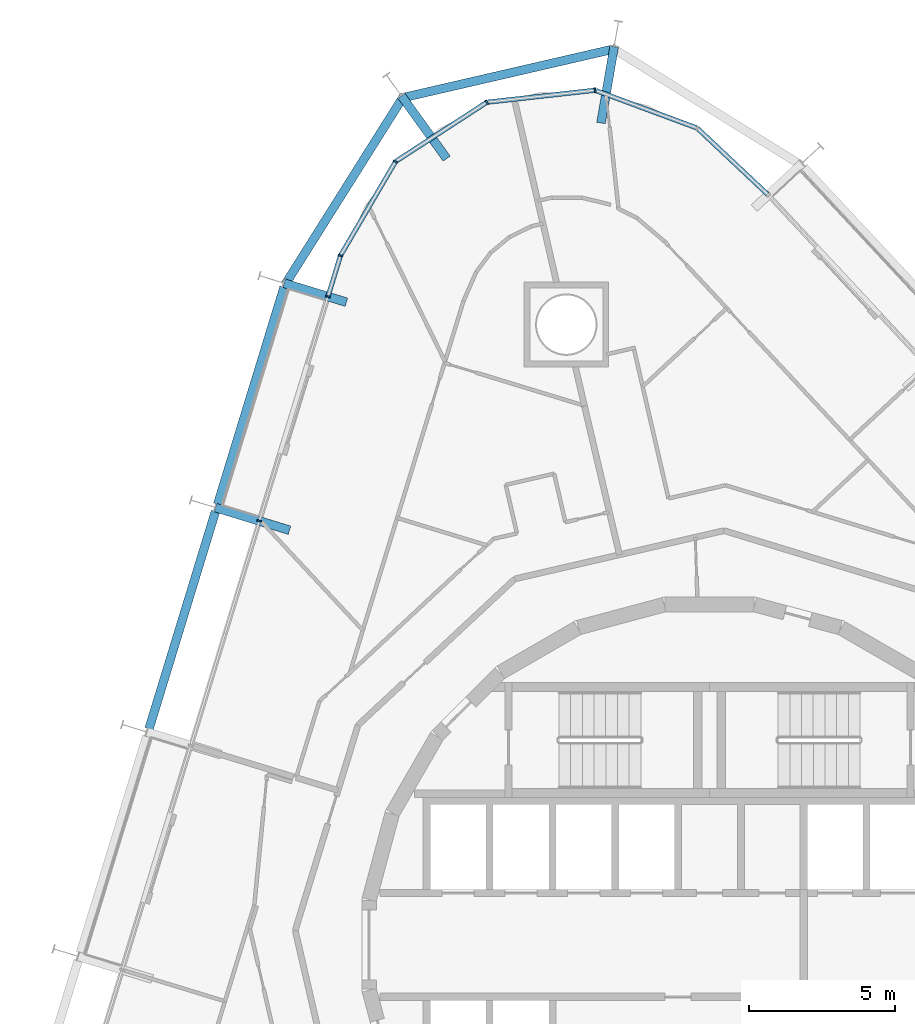
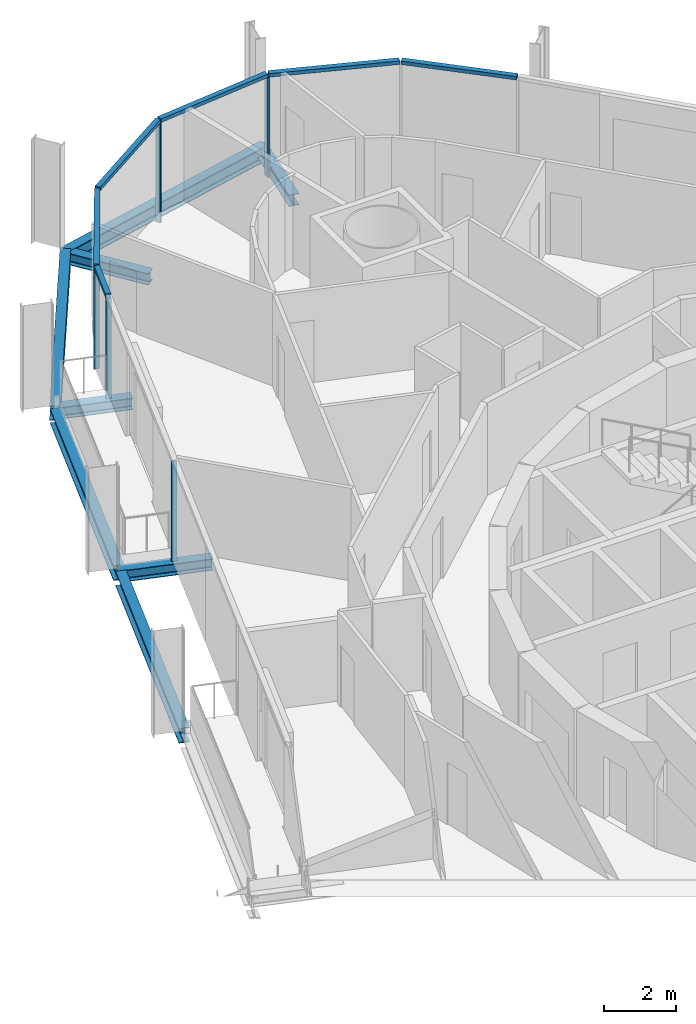
# One storey, part 7 of 18: 12 members, 8 beams, 2 elements without a shape of their own.
"""IFC4 building model written with IfcOpenShell, lengths in metres."""

from ifc_helpers import new_model, si_unit, direction, frame, origin, origin_2d, place, context, subcontext, project, spatial, rectangle, i_section, extrude, material, layer, layer_set, material_profile, profile_set, type_object, element, aggregate, save


model = new_model("IFC4")

# Units and contexts
model_context = context("Model", 3, precision=1e-05, world=origin(), true_north=direction((0.0, 1.0)))
body_context = subcontext(model_context, "Body", "Model", "MODEL_VIEW")
ifc_project = project(units=[si_unit("LENGTHUNIT", "METRE"), si_unit("AREAUNIT", "SQUARE_METRE"), si_unit("VOLUMEUNIT", "CUBIC_METRE"), si_unit("PLANEANGLEUNIT", "RADIAN"), si_unit("MASSUNIT", "GRAM", prefix="KILO")], contexts=[model_context])

# Site, building, storey
site_placement = place(None, origin())
site = spatial("IfcSite", under=ifc_project, at=site_placement, CompositionType="ELEMENT")
building_placement = place(site_placement, origin())
building = spatial("IfcBuilding", under=site, at=building_placement, Name="Spindle Arch Residences", CompositionType="ELEMENT")
storey_placement = place(building_placement, frame((0.0, 0.0, 134.39990234375)))
storey = spatial("IfcBuildingStorey", under=building, at=storey_placement, Name="L33", CompositionType="ELEMENT", Elevation=134.39990234375)

# Curtain wall, members
ifc_material_1 = material(Name="Aluminium bronze unitised frame with tinted glass", Category="aluminium")
ifc_layer_1 = layer(ifc_material_1, 0.159912109375)
ifc_layer_set_1 = layer_set([ifc_layer_1], Name="CW-D corner wall on the fillet arcs")
curtain_wall_type_1 = type_object("IfcCurtainWallType", Name="CW-D corner wall on the fillet arcs", PredefinedType="NOTDEFINED", material=ifc_layer_set_1)
curtain_wall_1_placement = place(storey_placement, origin())
curtain_wall_1 = element("IfcCurtainWall", 1, at=curtain_wall_1_placement, inside=storey, type_object=curtain_wall_type_1, Name="CW-D L33 run 3", PredefinedType="NOTDEFINED")
ifc_material_2 = material(Name="Aluminium bronze anodised mullion", Category="aluminium")
ifc_material_profile_1 = material_profile(ifc_material_2, rectangle(XDim=0.159912109375, YDim=0.06005859375, at=origin_2d()), Name="MU 60x160")
ifc_profile_set_1 = profile_set([ifc_material_profile_1], Name="Aluminium bronze anodised mullion")
member_type_1 = type_object("IfcMemberType", Name="Bronze mullion 60x160", PredefinedType="MULLION", material=ifc_profile_set_1)
member_1_placement = place(storey_placement, frame((-3.9150390625, 29.243408203125, -0.3798828125), z_axis=(0.0, 0.0, 1.0), x_axis=(0.110312556619, -0.993896946294, 0.0)))
member_1 = element("IfcMember", 2, at=member_1_placement, type_object=member_type_1, Name="CW-D mullion 02", PredefinedType="MULLION", context=body_context, shape_type="SweptSolid", body=[
    extrude(rectangle(XDim=0.159912109375, YDim=0.06005859375, at=origin_2d()), origin(), (0.0, 0.0, 1.0), 3.3798828125),
])
member_2_placement = place(storey_placement, frame((-7.619140625, 28.832275390625, -0.3798828125), z_axis=(0.0, 0.0, 1.0), x_axis=(0.544639035308, -0.838670567755, 0.0)))
member_2 = element("IfcMember", 3, at=member_2_placement, type_object=member_type_1, Name="CW-D mullion 03", PredefinedType="MULLION", context=body_context, shape_type="SweptSolid", body=[
    extrude(rectangle(XDim=0.159912109375, YDim=0.06005859375, at=origin_2d()), origin(), (0.0, 0.0, 1.0), 3.3798828125),
])
member_3_placement = place(storey_placement, frame((-10.74462890625, 26.802490234375, -0.3798828125), z_axis=(0.0, 0.0, 1.0), x_axis=(0.863101880723, -0.505029844161, 0.0)))
member_3 = element("IfcMember", 4, at=member_3_placement, type_object=member_type_1, Name="CW-D mullion 04", PredefinedType="MULLION", context=body_context, shape_type="SweptSolid", body=[
    extrude(rectangle(XDim=0.159912109375, YDim=0.06005859375, at=origin_2d()), origin(), (0.0, 0.0, 1.0), 3.3798828125),
])
member_4_placement = place(storey_placement, frame((-12.626708984375, 23.5859375, -0.3798828125), z_axis=(0.0, 0.0, 1.0), x_axis=(0.956304755963, -0.292371704723, 0.0)))
member_4 = element("IfcMember", 5, at=member_4_placement, type_object=member_type_1, Name="CW-D mullion 05", PredefinedType="MULLION", context=body_context, shape_type="SweptSolid", body=[
    extrude(rectangle(XDim=0.159912109375, YDim=0.06005859375, at=origin_2d()), origin(), (0.0, 0.0, 1.0), 3.3798828125),
])

ifc_material_3 = material(Name="Aluminium bronze unitised frame with tinted glass", Category="aluminium")
ifc_layer_2 = layer(ifc_material_3, 0.159912109375)
ifc_layer_set_2 = layer_set([ifc_layer_2], Name="CW-C typical residential unitised wall")
curtain_wall_type_2 = type_object("IfcCurtainWallType", Name="CW-C typical residential unitised wall", PredefinedType="NOTDEFINED", material=ifc_layer_set_2)
curtain_wall_2_placement = place(storey_placement, origin())
curtain_wall_2 = element("IfcCurtainWall", 6, at=curtain_wall_2_placement, inside=storey, type_object=curtain_wall_type_2, Name="CW-C L33 run 4", PredefinedType="NOTDEFINED")
member_5_placement = place(storey_placement, frame((-13.0556640625, 22.182861328125, -0.3798828125), z_axis=(0.0, 0.0, 1.0), x_axis=(0.956304755963, -0.292371704723, 0.0)))
member_5 = element("IfcMember", 7, at=member_5_placement, type_object=member_type_1, Name="CW-C mullion 12", PredefinedType="MULLION", context=body_context, shape_type="SweptSolid", body=[
    extrude(rectangle(XDim=0.159912109375, YDim=0.06005859375, at=origin_2d()), origin(), (0.0, 0.0, 1.0), 3.3798828125),
])
member_6_placement = place(storey_placement, frame((-15.4033203125, 14.504638671875, -0.3798828125), z_axis=(0.0, 0.0, 1.0), x_axis=(0.956304755963, -0.292371704723, 0.0)))
member_6 = element("IfcMember", 8, at=member_6_placement, type_object=member_type_1, Name="CW-C mullion 13", PredefinedType="MULLION", context=body_context, shape_type="SweptSolid", body=[
    extrude(rectangle(XDim=0.159912109375, YDim=0.06005859375, at=origin_2d()), origin(), (0.0, 0.0, 1.0), 3.3798828125),
])
aggregate(curtain_wall_2, [member_5, member_6])

# Member
ifc_material_4 = material(Name="Aluminium bronze anodised transom", Category="aluminium")
ifc_material_profile_2 = material_profile(ifc_material_4, rectangle(XDim=0.159912109375, YDim=0.1201171875, at=origin_2d()), Name="TR 120x160")
ifc_profile_set_2 = profile_set([ifc_material_profile_2], Name="Aluminium bronze anodised transom")
member_type_2 = type_object("IfcMemberType", Name="Bronze transom 120x160", PredefinedType="USERDEFINED", material=ifc_profile_set_2)
member_7_placement = place(storey_placement, frame((1.98828125, 25.681640625, 3.06005859375), z_axis=(-0.72826996669, 0.685290344027, 0.0), x_axis=(-0.685290344027, -0.72826996669, 0.0)))
member_7 = element("IfcMember", 9, at=member_7_placement, type_object=member_type_2, Name="CW-D transom 00", ObjectType="TRANSOM", PredefinedType="USERDEFINED", context=body_context, shape_type="SweptSolid", body=[
    extrude(rectangle(XDim=0.159912109375, YDim=0.1201171875, at=origin_2d()), origin(), (0.0, 0.0, 1.0), 3.277587890625),
])

member_8_placement = place(storey_placement, frame((-0.44873046875, 27.958740234375, 3.06005859375), z_axis=(-0.937682080581, 0.347494339172, 0.0), x_axis=(-0.347494339172, -0.937682080581, 0.0)))
member_8 = element("IfcMember", 10, at=member_8_placement, type_object=member_type_2, Name="CW-D transom 01", ObjectType="TRANSOM", PredefinedType="USERDEFINED", context=body_context, shape_type="SweptSolid", body=[
    extrude(rectangle(XDim=0.159912109375, YDim=0.1201171875, at=origin_2d()), origin(), (0.0, 0.0, 1.0), 3.666748046875),
])

member_9_placement = place(storey_placement, frame((-3.945068359375, 29.239990234375, 3.06005859375), z_axis=(-0.993895097359, -0.110329213929, 0.0), x_axis=(0.110329213929, -0.993895097359, 0.0)))
member_9 = element("IfcMember", 11, at=member_9_placement, type_object=member_type_2, Name="CW-D transom 02", ObjectType="TRANSOM", PredefinedType="USERDEFINED", context=body_context, shape_type="SweptSolid", body=[
    extrude(rectangle(XDim=0.159912109375, YDim=0.1201171875, at=origin_2d()), origin(), (0.0, 0.0, 1.0), 3.666748046875),
])

member_10_placement = place(storey_placement, frame((-7.644287109375, 28.81591796875, 3.06005859375), z_axis=(-0.838668683676, -0.544641936525, 0.0), x_axis=(0.544641936525, -0.838668683676, 0.0)))
member_10 = element("IfcMember", 12, at=member_10_placement, type_object=member_type_2, Name="CW-D transom 03", ObjectType="TRANSOM", PredefinedType="USERDEFINED", context=body_context, shape_type="SweptSolid", body=[
    extrude(rectangle(XDim=0.159912109375, YDim=0.1201171875, at=origin_2d()), origin(), (0.0, 0.0, 1.0), 3.666748046875),
])

member_11_placement = place(storey_placement, frame((-10.759765625, 26.776611328125, 3.06005859375), z_axis=(-0.505025585574, -0.86310437255, 0.0), x_axis=(0.86310437255, -0.505025585574, 0.0)))
member_11 = element("IfcMember", 13, at=member_11_placement, type_object=member_type_2, Name="CW-D transom 04", ObjectType="TRANSOM", PredefinedType="USERDEFINED", context=body_context, shape_type="SweptSolid", body=[
    extrude(rectangle(XDim=0.159912109375, YDim=0.1201171875, at=origin_2d()), origin(), (0.0, 0.0, 1.0), 3.666748046875),
])

member_12_placement = place(storey_placement, frame((-12.635498046875, 23.55712890625, 3.06005859375), z_axis=(-0.292390464398, -0.956299020354, 0.0), x_axis=(0.956299020354, -0.292390464398, 0.0)))
member_12 = element("IfcMember", 14, at=member_12_placement, type_object=member_type_2, Name="CW-D transom 05", ObjectType="TRANSOM", PredefinedType="USERDEFINED", context=body_context, shape_type="SweptSolid", body=[
    extrude(rectangle(XDim=0.159912109375, YDim=0.1201171875, at=origin_2d()), origin(), (0.0, 0.0, 1.0), 1.406982421875),
])

aggregate(curtain_wall_1, [member_7, member_8, member_1, member_9, member_2, member_10, member_3, member_11, member_4, member_12])

# Beams
ifc_material_5 = material(Name="Steel S460ML, intumescent coating R 120", Category="steel")
ifc_material_profile_3 = material_profile(ifc_material_5, i_section(OverallWidth=0.300048828125, OverallDepth=0.5, WebThickness=0.014404296875, FlangeThickness=0.028076171875, FilletRadius=0.027099609375, at=origin_2d()), Name="HEB 500")
ifc_profile_set_3 = profile_set([ifc_material_profile_3], Name="Steel S460ML, intumescent coating R 120")
beam_type_1 = type_object("IfcBeamType", Name="Exoskeleton edge beam HEB 500", PredefinedType="BEAM", material=ifc_profile_set_3)
beam_1_placement = place(storey_placement, frame((-3.20166015625, 30.670166015625, -0.6298828125), z_axis=(-0.974372141151, -0.224942060428, 0.0), x_axis=(0.224942060428, -0.974372141151, 0.0)))
element("IfcBeam", 15, at=beam_1_placement, inside=storey, type_object=beam_type_1, Name="Exoskeleton edge beam 11", PredefinedType="BEAM", context=body_context, shape_type="SweptSolid", body=[
    extrude(i_section(OverallWidth=0.300048828125, OverallDepth=0.5, WebThickness=0.014404296875, FlangeThickness=0.028076171875, FilletRadius=0.027099609375, at=origin_2d()), origin(), (0.0, 0.0, 1.0), 7.5595703125),
])
beam_2_placement = place(storey_placement, frame((-10.47509765625, 29.022705078125, -0.6298828125), z_axis=(-0.532774034173, -0.846257542661, 0.0), x_axis=(0.846257542661, -0.532774034173, 0.0)))
element("IfcBeam", 16, at=beam_2_placement, inside=storey, type_object=beam_type_1, Name="Exoskeleton edge beam 12", PredefinedType="BEAM", context=body_context, shape_type="SweptSolid", body=[
    extrude(i_section(OverallWidth=0.300048828125, OverallDepth=0.5, WebThickness=0.014404296875, FlangeThickness=0.028076171875, FilletRadius=0.027099609375, at=origin_2d()), origin(), (0.0, 0.0, 1.0), 7.591796875),
])
for number, where, z_axis, x_axis, name in (
    (17, (-14.556884765625, 22.505859375, -0.6298828125), (-0.292380603236, -0.956302035369, 0.0), (0.956302035369, -0.292380603236, 0.0), "Exoskeleton edge beam 13"),
    (18, (-16.904296875, 14.82763671875, -0.6298828125), (-0.292371816855, -0.956304721681, 0.0), (0.956304721681, -0.292371816855, 0.0), "Exoskeleton edge beam 14"),
):
    element("IfcBeam", number, at=place(storey_placement, frame(where, z_axis=z_axis, x_axis=x_axis)), inside=storey, type_object=beam_type_1, Name=name, PredefinedType="BEAM", context=body_context, shape_type="SweptSolid", body=[
        extrude(i_section(OverallWidth=0.300048828125, OverallDepth=0.5, WebThickness=0.014404296875, FlangeThickness=0.028076171875, FilletRadius=0.027099609375, at=origin_2d()), origin(), (0.0, 0.0, 1.0), 7.76904296875),
    ])
ifc_material_6 = material(Name="Steel S460ML, intumescent coating R 120", Category="steel")
ifc_material_profile_4 = material_profile(ifc_material_6, i_section(OverallWidth=0.300048828125, OverallDepth=0.389892578125, WebThickness=0.010986328125, FlangeThickness=0.01904296875, FilletRadius=0.027099609375, at=origin_2d()), Name="HEA 400")
ifc_profile_set_4 = profile_set([ifc_material_profile_4], Name="Steel S460ML, intumescent coating R 120")
beam_type_2 = type_object("IfcBeamType", Name="Floor outrigger HEA 400", PredefinedType="BEAM", material=ifc_profile_set_4)
for number, where, z_axis, x_axis, name in (
    (19, (-3.26171875, 30.7333984375, -0.574951171875), (-0.169700209351, -0.985495732587, 0.0), (0.985495732587, -0.169700209351, 0.0), "Floor outrigger 11"),
    (20, (-10.541015625, 29.052734375, -0.574951171875), (0.584588663969, -0.811329830561, 0.0), (0.811329830561, 0.584588663969, 0.0), "Floor outrigger 12"),
):
    element("IfcBeam", number, at=place(storey_placement, frame(where, z_axis=z_axis, x_axis=x_axis)), inside=storey, type_object=beam_type_2, Name=name, PredefinedType="BEAM", context=body_context, shape_type="SweptSolid", body=[
        extrude(i_section(OverallWidth=0.300048828125, OverallDepth=0.389892578125, WebThickness=0.010986328125, FlangeThickness=0.01904296875, FilletRadius=0.027099609375, at=origin_2d()), origin(), (0.0, 0.0, 1.0), 2.64990234375),
    ])
beam_3_placement = place(storey_placement, frame((-14.55712890625, 22.641845703125, -0.574951171875), z_axis=(0.956331173438, -0.292285283091, 0.0), x_axis=(0.292285283091, 0.956331173438, 0.0)))
element("IfcBeam", 21, at=beam_3_placement, inside=storey, type_object=beam_type_2, Name="Floor outrigger 13", PredefinedType="BEAM", context=body_context, shape_type="SweptSolid", body=[
    extrude(i_section(OverallWidth=0.300048828125, OverallDepth=0.389892578125, WebThickness=0.010986328125, FlangeThickness=0.01904296875, FilletRadius=0.027099609375, at=origin_2d()), origin(), (0.0, 0.0, 1.0), 2.230224609375),
])
beam_4_placement = place(storey_placement, frame((-16.904541015625, 14.963623046875, -0.574951171875), z_axis=(0.956291475666, -0.292415139091, 0.0), x_axis=(0.292415139091, 0.956291475666, 0.0)))
element("IfcBeam", 22, at=beam_4_placement, inside=storey, type_object=beam_type_2, Name="Floor outrigger 14", PredefinedType="BEAM", context=body_context, shape_type="SweptSolid", body=[
    extrude(i_section(OverallWidth=0.300048828125, OverallDepth=0.389892578125, WebThickness=0.010986328125, FlangeThickness=0.01904296875, FilletRadius=0.027099609375, at=origin_2d()), origin(), (0.0, 0.0, 1.0), 2.64990234375),
])

save(model, "model.ifc")
